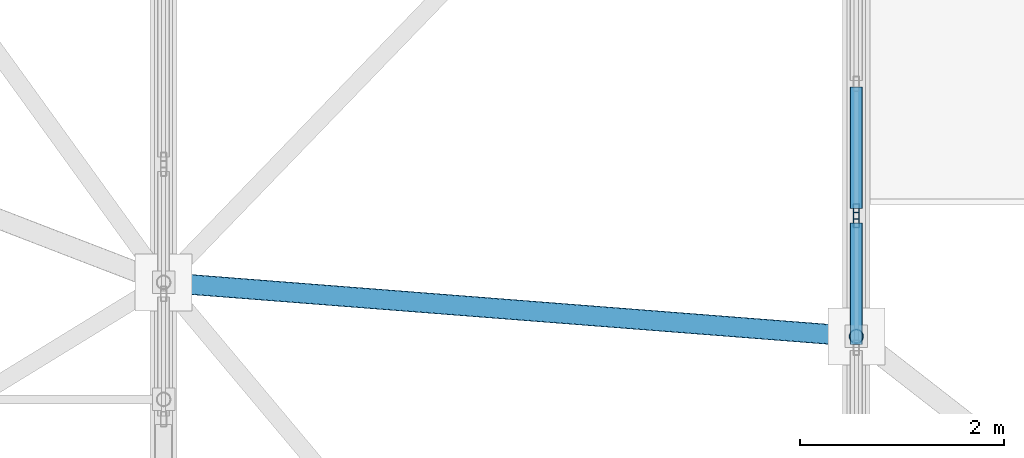
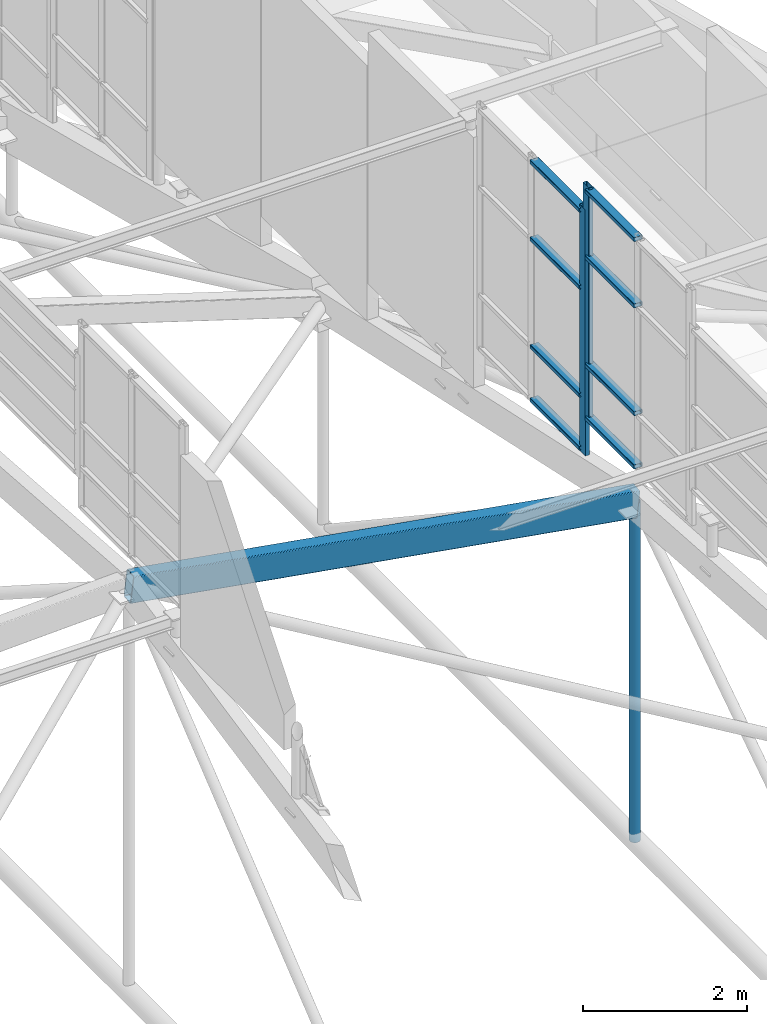
# One storey, part 47 of 188: 12 members, 2 elements without a shape of their own.
"""IFC4 building model written with IfcOpenShell, lengths in metres."""

from ifc_helpers import new_model, si_unit, direction, frame, origin, origin_2d, place, context, subcontext, project, spatial, hollow_rectangle, hollow_circle, extrude, material, layer, layer_set, material_profile, profile_set, type_object, element, aggregate, save


model = new_model("IFC4")

# Units and contexts
model_context = context("Model", 3, precision=1e-05, world=origin(), true_north=direction((0.0, 1.0)))
body_context = subcontext(model_context, "Body", "Model", "MODEL_VIEW")
ifc_project = project(units=[si_unit("LENGTHUNIT", "METRE"), si_unit("AREAUNIT", "SQUARE_METRE"), si_unit("VOLUMEUNIT", "CUBIC_METRE"), si_unit("PLANEANGLEUNIT", "RADIAN"), si_unit("MASSUNIT", "GRAM", prefix="KILO")], contexts=[model_context])

# Site, building, storey
site_placement = place(None, origin())
site = spatial("IfcSite", under=ifc_project, at=site_placement, CompositionType="ELEMENT")
building_placement = place(site_placement, origin())
building = spatial("IfcBuilding", under=site, at=building_placement, Name="Kisaragi Civic Commons", CompositionType="ELEMENT")
storey_placement = place(building_placement, frame((0.0, 0.0, 9.60009765625)))
storey = spatial("IfcBuildingStorey", under=building, at=storey_placement, Name="L02", CompositionType="ELEMENT", Elevation=9.60009765625)

# Curtain wall, member
ifc_material_1 = material(Name="Thermally broken anodized aluminium and low-E double glazing", Category="aluminium")
ifc_layer = layer(ifc_material_1, 0.14990234375, Name="Thermally broken anodized aluminium and low-E double glazing", Category="aluminium")
ifc_layer_set = layer_set([ifc_layer], Name="Thermally broken anodized aluminium and low-E double glazing")
curtain_wall_type = type_object("IfcCurtainWallType", Name="CW-03", PredefinedType="NOTDEFINED", material=ifc_layer_set)
curtain_wall_1_placement = place(storey_placement, origin())
curtain_wall_1 = element("IfcCurtainWall", 1, at=curtain_wall_1_placement, inside=storey, type_object=curtain_wall_type, Name="L02 curtain wall CW-03 CW-CL-V1-160", PredefinedType="NOTDEFINED")
ifc_material_profile_1 = material_profile(ifc_material_1, hollow_rectangle(XDim=0.06005859375, YDim=0.14990234375, WallThickness=0.00390625, InnerFilletRadius=0.00390625, OuterFilletRadius=0.008056640625, at=origin_2d()), Name="CWM-60x150x4", Category="aluminium")
ifc_profile_set_1 = profile_set([ifc_material_profile_1], Name="Thermally broken anodized aluminium and low-E double glazing")
member_type_1 = type_object("IfcMemberType", Name="CWM-01", PredefinedType="MULLION", material=ifc_profile_set_1)
member_1_placement = place(storey_placement, frame((20.39990234375, 33.23291015625, 5.03662109375), z_axis=(0.0, 0.0, 1.0), x_axis=(-1.0, 0.0, 0.0)))
member_1 = element("IfcMember", 2, at=member_1_placement, type_object=member_type_1, Name="CW-03 mullion 3", PredefinedType="MULLION", context=body_context, shape_type="SweptSolid", body=[
    extrude(hollow_rectangle(XDim=0.06005859375, YDim=0.14990234375, WallThickness=0.00390625, InnerFilletRadius=0.00390625, OuterFilletRadius=0.008056640625, at=origin_2d()), origin(), (0.0, 0.0, 1.0), 3.494873046875),
])

curtain_wall_2_placement = place(storey_placement, origin())
curtain_wall_2 = element("IfcCurtainWall", 3, at=curtain_wall_2_placement, inside=storey, type_object=curtain_wall_type, Name="L02 curtain wall CW-03 CW-CL-V1-161", PredefinedType="NOTDEFINED")
member_2_placement = place(storey_placement, frame((20.39990234375, 33.31689453125, 4.501953125), z_axis=(0.0, 0.0, 1.0), x_axis=(-1.0, 0.0, 0.0)))
member_2 = element("IfcMember", 4, at=member_2_placement, type_object=member_type_1, Name="CW-03 mullion 1", PredefinedType="MULLION", context=body_context, shape_type="SweptSolid", body=[
    extrude(hollow_rectangle(XDim=0.06005859375, YDim=0.14990234375, WallThickness=0.00390625, InnerFilletRadius=0.00390625, OuterFilletRadius=0.008056640625, at=origin_2d()), origin(), (0.0, 0.0, 1.0), 3.654541015625),
])

# Member
ifc_material_profile_2 = material_profile(ifc_material_1, hollow_rectangle(XDim=0.1201171875, YDim=0.06005859375, WallThickness=0.00390625, InnerFilletRadius=0.00390625, OuterFilletRadius=0.008056640625, at=origin_2d()), Name="CWT-60x120x4", Category="aluminium")
ifc_profile_set_2 = profile_set([ifc_material_profile_2], Name="Thermally broken anodized aluminium and low-E double glazing")
member_type_2 = type_object("IfcMemberType", Name="CWT-01", PredefinedType="USERDEFINED", material=ifc_profile_set_2)
member_3_placement = place(storey_placement, frame((20.39990234375, 32.009765625, 5.0966796875), z_axis=(0.0, 1.0, 0.0), x_axis=(-1.0, 0.0, 0.0)))
member_3 = element("IfcMember", 5, at=member_3_placement, type_object=member_type_2, Name="CW-03 transom 2.1", ObjectType="TRANSOM", PredefinedType="USERDEFINED", context=body_context, shape_type="SweptSolid", body=[
    extrude(hollow_rectangle(XDim=0.1201171875, YDim=0.06005859375, WallThickness=0.00390625, InnerFilletRadius=0.00390625, OuterFilletRadius=0.008056640625, at=origin_2d()), origin(), (0.0, 0.0, 1.0), 1.193115234375),
])

member_4_placement = place(storey_placement, frame((20.39990234375, 32.009765625, 5.88671875), z_axis=(0.0, 1.0, 0.0), x_axis=(-1.0, 0.0, 0.0)))
member_4 = element("IfcMember", 6, at=member_4_placement, type_object=member_type_2, Name="CW-03 transom 2.2", ObjectType="TRANSOM", PredefinedType="USERDEFINED", context=body_context, shape_type="SweptSolid", body=[
    extrude(hollow_rectangle(XDim=0.1201171875, YDim=0.06005859375, WallThickness=0.00390625, InnerFilletRadius=0.00390625, OuterFilletRadius=0.008056640625, at=origin_2d()), origin(), (0.0, 0.0, 1.0), 1.193115234375),
])

member_5_placement = place(storey_placement, frame((20.39990234375, 32.009765625, 7.486572265625), z_axis=(0.0, 1.0, 0.0), x_axis=(-1.0, 0.0, 0.0)))
member_5 = element("IfcMember", 7, at=member_5_placement, type_object=member_type_2, Name="CW-03 transom 2.3", ObjectType="TRANSOM", PredefinedType="USERDEFINED", context=body_context, shape_type="SweptSolid", body=[
    extrude(hollow_rectangle(XDim=0.1201171875, YDim=0.06005859375, WallThickness=0.00390625, InnerFilletRadius=0.00390625, OuterFilletRadius=0.008056640625, at=origin_2d()), origin(), (0.0, 0.0, 1.0), 1.193115234375),
])

member_6_placement = place(storey_placement, frame((20.39990234375, 32.009765625, 8.471435546875), z_axis=(0.0, 1.0, 0.0), x_axis=(-1.0, 0.0, 0.0)))
member_6 = element("IfcMember", 8, at=member_6_placement, type_object=member_type_2, Name="CW-03 transom 2.4", ObjectType="TRANSOM", PredefinedType="USERDEFINED", context=body_context, shape_type="SweptSolid", body=[
    extrude(hollow_rectangle(XDim=0.1201171875, YDim=0.06005859375, WallThickness=0.00390625, InnerFilletRadius=0.00390625, OuterFilletRadius=0.008056640625, at=origin_2d()), origin(), (0.0, 0.0, 1.0), 1.193115234375),
])

aggregate(curtain_wall_1, [member_1, member_3, member_4, member_5, member_6])

member_7_placement = place(storey_placement, frame((20.39990234375, 33.346923828125, 4.56201171875), z_axis=(0.0, 1.0, 0.0), x_axis=(-1.0, 0.0, 0.0)))
member_7 = element("IfcMember", 9, at=member_7_placement, type_object=member_type_2, Name="CW-03 transom 1.1", ObjectType="TRANSOM", PredefinedType="USERDEFINED", context=body_context, shape_type="SweptSolid", body=[
    extrude(hollow_rectangle(XDim=0.1201171875, YDim=0.06005859375, WallThickness=0.00390625, InnerFilletRadius=0.00390625, OuterFilletRadius=0.008056640625, at=origin_2d()), origin(), (0.0, 0.0, 1.0), 1.193115234375),
])

member_8_placement = place(storey_placement, frame((20.39990234375, 33.346923828125, 5.351806640625), z_axis=(0.0, 1.0, 0.0), x_axis=(-1.0, 0.0, 0.0)))
member_8 = element("IfcMember", 10, at=member_8_placement, type_object=member_type_2, Name="CW-03 transom 1.2", ObjectType="TRANSOM", PredefinedType="USERDEFINED", context=body_context, shape_type="SweptSolid", body=[
    extrude(hollow_rectangle(XDim=0.1201171875, YDim=0.06005859375, WallThickness=0.00390625, InnerFilletRadius=0.00390625, OuterFilletRadius=0.008056640625, at=origin_2d()), origin(), (0.0, 0.0, 1.0), 1.193115234375),
])

member_9_placement = place(storey_placement, frame((20.39990234375, 33.346923828125, 6.951904296875), z_axis=(0.0, 1.0, 0.0), x_axis=(-1.0, 0.0, 0.0)))
member_9 = element("IfcMember", 11, at=member_9_placement, type_object=member_type_2, Name="CW-03 transom 1.3", ObjectType="TRANSOM", PredefinedType="USERDEFINED", context=body_context, shape_type="SweptSolid", body=[
    extrude(hollow_rectangle(XDim=0.1201171875, YDim=0.06005859375, WallThickness=0.00390625, InnerFilletRadius=0.00390625, OuterFilletRadius=0.008056640625, at=origin_2d()), origin(), (0.0, 0.0, 1.0), 1.193115234375),
])

member_10_placement = place(storey_placement, frame((20.39990234375, 33.346923828125, 8.096435546875), z_axis=(0.0, 1.0, 0.0), x_axis=(-1.0, 0.0, 0.0)))
member_10 = element("IfcMember", 12, at=member_10_placement, type_object=member_type_2, Name="CW-03 transom 1.4", ObjectType="TRANSOM", PredefinedType="USERDEFINED", context=body_context, shape_type="SweptSolid", body=[
    extrude(hollow_rectangle(XDim=0.1201171875, YDim=0.06005859375, WallThickness=0.00390625, InnerFilletRadius=0.00390625, OuterFilletRadius=0.008056640625, at=origin_2d()), origin(), (0.0, 0.0, 1.0), 1.193115234375),
])

aggregate(curtain_wall_2, [member_2, member_7, member_8, member_9, member_10])

# Members
ifc_material_2 = material(Name="Steel SN490 (SN490B)", Category="steel")
ifc_material_profile_3 = material_profile(ifc_material_2, hollow_rectangle(XDim=0.199951171875, YDim=0.39990234375, WallThickness=0.011962890625, InnerFilletRadius=0.011962890625, OuterFilletRadius=0.02392578125, at=origin_2d()), Name="STKR-400x200x12", Category="steel")
ifc_profile_set_3 = profile_set([ifc_material_profile_3], Name="Steel SN490 (SN490B)")
member_type_3 = type_object("IfcMemberType", Name="GC-01", PredefinedType="CHORD", material=ifc_profile_set_3)
member_11_placement = place(storey_placement, frame((13.60009765625, 32.620361328125, 5.319091796875), z_axis=(0.990355254412, -0.077231495497, -0.115029414334), x_axis=(0.077747577231, 0.996973075983, 0.0)))
element("IfcMember", 13, at=member_11_placement, inside=storey, type_object=member_type_3, Name="V1 wave gridshell chord GC-01 18", PredefinedType="CHORD", context=body_context, shape_type="SweptSolid", body=[
    extrude(hollow_rectangle(XDim=0.199951171875, YDim=0.39990234375, WallThickness=0.011962890625, InnerFilletRadius=0.011962890625, OuterFilletRadius=0.02392578125, at=origin_2d()), origin(), (0.0, 0.0, 1.0), 6.865966796875),
])
ifc_material_profile_4 = material_profile(ifc_material_2, hollow_circle(Radius=0.06982421875, WallThickness=0.006103515625, at=origin_2d()), Name="CHS-139.8x6.0", Category="steel")
ifc_profile_set_4 = profile_set([ifc_material_profile_4], Name="Steel SN490 (SN490B)")
member_type_4 = type_object("IfcMemberType", Name="ST-H1", PredefinedType="STRUT", material=ifc_profile_set_4)
member_12_placement = place(storey_placement, frame((20.39990234375, 32.090087890625, -0.49951171875), z_axis=(0.0, 0.0, 1.0), x_axis=(1.0, 0.0, 0.0)))
element("IfcMember", 14, at=member_12_placement, inside=storey, type_object=member_type_4, Name="V1 arch tie hanger strut 47", PredefinedType="STRUT", context=body_context, shape_type="SweptSolid", body=[
    extrude(hollow_circle(Radius=0.06982421875, WallThickness=0.006103515625, at=origin_2d()), origin(), (0.0, 0.0, 1.0), 5.02880859375),
])

save(model, "model.ifc")
